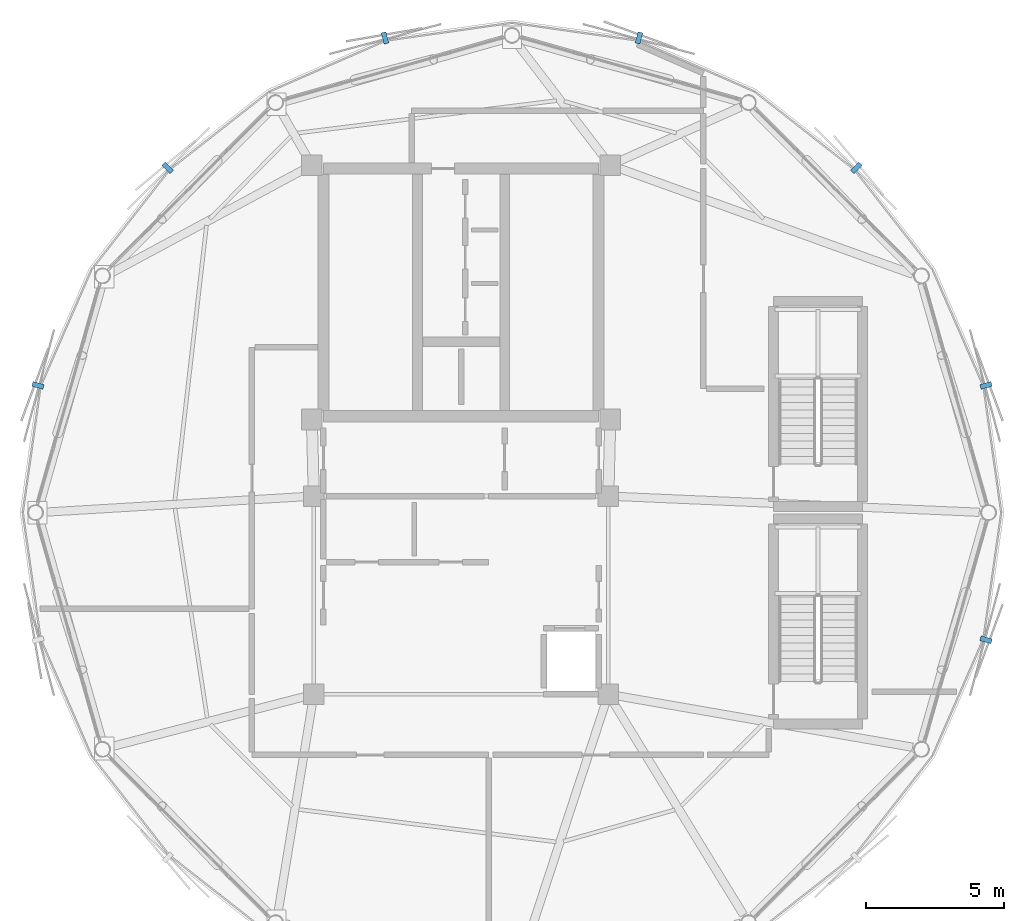
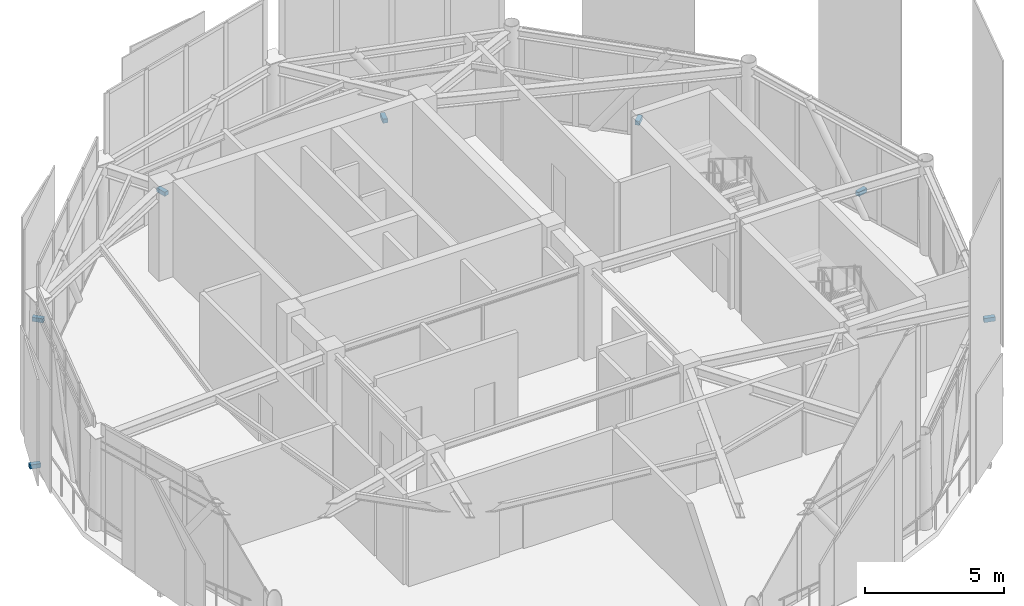
# One storey, part 17 of 20: 7 discrete accessories.
"""IFC4 building model written with IfcOpenShell, lengths in metres."""

from ifc_helpers import new_model, si_unit, direction, frame, origin, origin_2d, place, context, subcontext, project, spatial, rectangle, extrude, source, transform, mapped, material, type_object, type_shapes, element, save


model = new_model("IFC4")

# Units and contexts
model_context = context("Model", 3, precision=1e-05, world=origin(), true_north=direction((0.0, 1.0)))
body_context = subcontext(model_context, "Body", "Model", "MODEL_VIEW")
ifc_project = project(units=[si_unit("LENGTHUNIT", "METRE"), si_unit("AREAUNIT", "SQUARE_METRE"), si_unit("VOLUMEUNIT", "CUBIC_METRE"), si_unit("PLANEANGLEUNIT", "RADIAN"), si_unit("MASSUNIT", "GRAM", prefix="KILO")], contexts=[model_context])

# Site, building, storey
site_placement = place(None, origin())
site = spatial("IfcSite", under=ifc_project, at=site_placement, CompositionType="ELEMENT")
building_placement = place(site_placement, origin())
building = spatial("IfcBuilding", under=site, at=building_placement, Name="Varnakorn Sky Granary", CompositionType="ELEMENT")
storey_placement = place(building_placement, frame((0.0, 0.0, 310.800048828125)))
storey = spatial("IfcBuildingStorey", under=building, at=storey_placement, Name="L79", CompositionType="ELEMENT", Elevation=310.800048828125)

# Discrete accessories
ifc_material = material(Name="Steel S355JR", Category="steel")
discrete_accessory_type = type_object("IfcDiscreteAccessoryType", Name="AC-BRK-01", PredefinedType="BRACKET", material=ifc_material)
shared_shape = source(origin(), body_context, "Body", "SweptSolid", [
    extrude(rectangle(XDim=0.179931640625, YDim=0.419921875, at=origin_2d()), origin(), (0.0, 0.0, 1.0), 0.179931640625),
])
type_shapes(discrete_accessory_type, [shared_shape])
for number, where, z_axis, x_axis, name in (
    (1, (22.068603515625, 4.619384765625, -0.2001953125), (0.0, 0.0, 1.0), (-0.259116487925, 0.965846077636, 0.0), "Facade Solar-Screen Outrigger Bracket L79-01"),
    (2, (17.359375, 12.52490234375, -0.2001953125), (0.0, 0.0, 1.0), (-0.707547435477, 0.706665852118, 0.0), "Facade Solar-Screen Outrigger Bracket L79-02"),
    (3, (9.463623046875, 17.23974609375, -0.2001953125), (0.0, 0.0, 1.0), (-0.966005254616, 0.258522432401, 0.0), "Facade Solar-Screen Outrigger Bracket L79-03"),
    (4, (0.236328125, 17.23974609375, -0.2001953125), (0.0, 0.0, 1.0), (-0.966005254616, -0.258522432401, 0.0), "Facade Solar-Screen Outrigger Bracket L79-04"),
    (5, (-7.659423828125, 12.52490234375, -0.2001953125), (0.0, 0.0, 1.0), (-0.707547435477, -0.706665852118, 0.0), "Facade Solar-Screen Outrigger Bracket L79-05"),
    (6, (-12.36865234375, 4.619384765625, -0.2001953125), (0.0, 0.0, 1.0), (-0.259116487925, -0.965846077636, 0.0), "Facade Solar-Screen Outrigger Bracket L79-06"),
    (7, (22.068603515625, -4.619384765625, -0.2001953125), (0.0, 0.0, 1.0), (0.259116487925, 0.965846077636, 0.0), "Facade Solar-Screen Outrigger Bracket L79-12"),
):
    element("IfcDiscreteAccessory", number, at=place(storey_placement, frame(where, z_axis=z_axis, x_axis=x_axis)), inside=storey, type_object=discrete_accessory_type, Name=name, PredefinedType="BRACKET", context=body_context, shape_type="MappedRepresentation", body=[
        mapped(shared_shape, transform((0.0, 0.0, 0.0), x_axis=(1.0, 0.0, 0.0), y_axis=(0.0, 1.0, 0.0), z_axis=(0.0, 0.0, 1.0), scale=1.0)),
    ])

save(model, "model.ifc")
